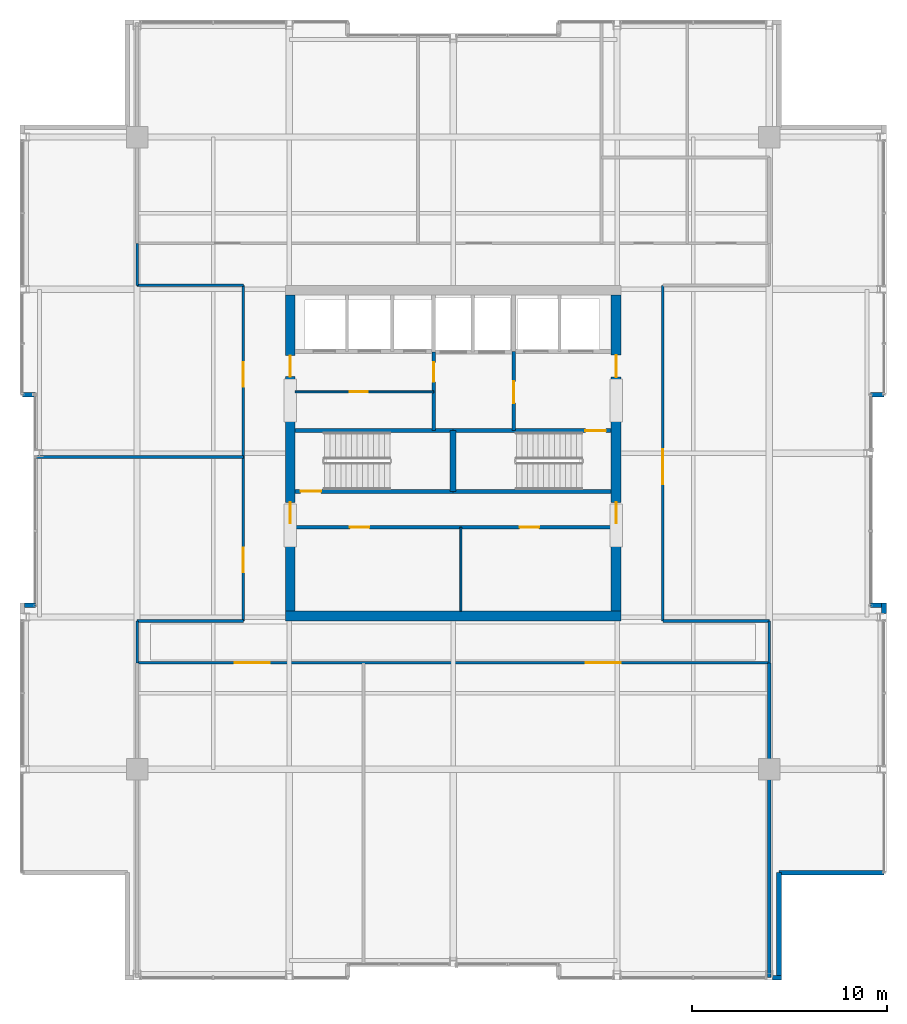
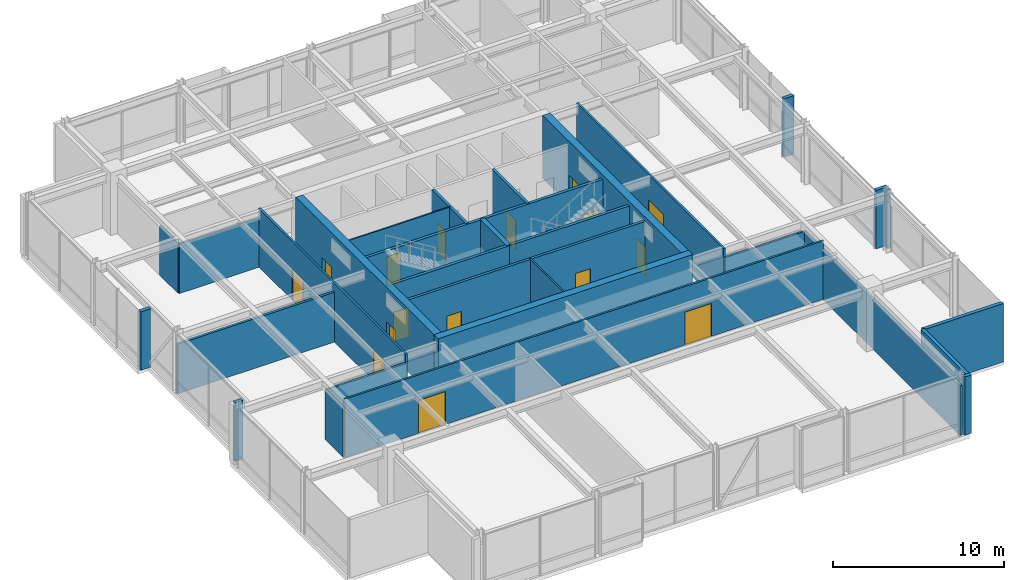
# One storey, part 27 of 32: 32 walls, 16 doors, 16 openings.
"""IFC4 building model written with IfcOpenShell, lengths in metres."""

from ifc_helpers import new_model, si_unit, direction, frame, frame_2d, origin, place, context, subcontext, project, spatial, rectangle, extrude, material, layer, layer_set, type_object, element, fill, save


model = new_model("IFC4")

# Units and contexts
model_context = context("Model", 3, precision=1e-05, world=origin(), true_north=direction((0.0, 1.0)))
body_context = subcontext(model_context, "Body", "Model", "MODEL_VIEW")
ifc_project = project(units=[si_unit("LENGTHUNIT", "METRE"), si_unit("AREAUNIT", "SQUARE_METRE"), si_unit("VOLUMEUNIT", "CUBIC_METRE"), si_unit("PLANEANGLEUNIT", "RADIAN"), si_unit("MASSUNIT", "GRAM", prefix="KILO")], contexts=[model_context])

# Site, building, storey
site_placement = place(None, origin())
site = spatial("IfcSite", under=ifc_project, at=site_placement, CompositionType="ELEMENT")
building_placement = place(site_placement, origin())
building = spatial("IfcBuilding", under=site, at=building_placement, Name="Drelvath Grand Hotel", CompositionType="ELEMENT")
storey_placement = place(building_placement, frame((0.0, 0.0, 255.5)))
storey = spatial("IfcBuildingStorey", under=building, at=storey_placement, Name="L67", CompositionType="ELEMENT", Elevation=255.5)

# Wall, opening, door
ifc_material_1 = material(Name="Gypsum Partition Board")
ifc_layer_1 = layer(ifc_material_1, 0.10009765625)
ifc_layer_set_1 = layer_set([ifc_layer_1], Name="Gypsum Partition Board")
wall_type_1 = type_object("IfcWallType", Name="Core Closet Partition 100", PredefinedType="PARTITIONING", material=ifc_layer_set_1)
wall_1_placement = place(storey_placement, frame((-8.10009765625, 30.139892578125, 0.0), z_axis=(0.0, 0.0, 1.0), x_axis=(1.0, 0.0, 0.0)))
wall_1 = element("IfcWall", 1, at=wall_1_placement, inside=storey, type_object=wall_type_1, Name="L67 High-Rise Lobby Closet Wall", PredefinedType="PARTITIONING", context=body_context, shape_type="SweptSolid", body=[
    extrude(rectangle(XDim=7.10009765625, YDim=0.10009765625, at=frame_2d((3.550048828125, 0.0))), origin(), (0.0, 0.0, 1.0), 4.179931640625),
])
opening_1_placement = place(wall_1_placement, frame((2.800048828125, 0.0, 0.0)))
opening_1 = element("IfcOpeningElement", 2, at=opening_1_placement, cuts=wall_1, Name="Opening D-L67-014", PredefinedType="OPENING", context=body_context, shape_type="SweptSolid", body=[
    extrude(rectangle(XDim=0.919921875, YDim=2.10009765625, at=frame_2d((0.4599609375, 1.050048828125))), frame((0.0, 0.06005859375, 0.0), z_axis=(0.0, -1.0, 0.0), x_axis=(1.0, 0.0, 0.0)), (0.0, 0.0, 1.0), 0.1201171875),
])
ifc_material_2 = material(Name="Painted Steel S275", Category="steel")
door_type_1 = type_object("IfcDoorType", Name="Staff Utility Door 920x2100", OperationType="NOTDEFINED", PredefinedType="DOOR", material=ifc_material_2)
door_1_placement = place(opening_1_placement, origin())
door_1 = element("IfcDoor", 3, at=door_1_placement, inside=storey, type_object=door_type_1, Name="L67 Core Telecom Door", OperationType="SINGLE_SWING_LEFT", OverallHeight=2.10009765625, OverallWidth=0.919921875, PredefinedType="DOOR", context=body_context, shape_type="SweptSolid", body=[
    extrude(rectangle(XDim=0.919921875, YDim=2.10009765625, at=frame_2d((0.4599609375, 1.050048828125))), frame((0.0, 0.02490234375, 0.0), z_axis=(0.0, -1.0, 0.0), x_axis=(1.0, 0.0, 0.0)), (0.0, 0.0, 1.0), 0.050048828125),
])
fill(opening_1, door_1)

# Wall
wall_2_placement = place(storey_placement, frame((0.39990234375, 18.89990234375, 0.0), z_axis=(0.0, 0.0, 1.0), x_axis=(0.0, 1.0, 0.0)))
element("IfcWall", 4, at=wall_2_placement, inside=storey, type_object=wall_type_1, Name="L67 Upper Core Split 0", PredefinedType="PARTITIONING", context=body_context, shape_type="SweptSolid", body=[
    extrude(rectangle(XDim=4.300048828125, YDim=0.10009765625, at=frame_2d((2.14990234375, 0.0))), origin(), (0.0, 0.0, 1.0), 4.179931640625),
])

# Wall, opening, door
ifc_material_3 = material(Name="Concrete C40/50", Category="concrete")
ifc_layer_2 = layer(ifc_material_3, 0.199951171875)
ifc_layer_set_2 = layer_set([ifc_layer_2], Name="Concrete C40/50")
wall_type_2 = type_object("IfcWallType", Name="Core Shaft Fire Wall 200", PredefinedType="SOLIDWALL", material=ifc_layer_set_2)
wall_3_placement = place(storey_placement, frame((-8.10009765625, 25.0400390625, 0.0), z_axis=(0.0, 0.0, 1.0), x_axis=(1.0, 0.0, 0.0)))
wall_3 = element("IfcWall", 5, at=wall_3_placement, inside=storey, type_object=wall_type_2, Name="L67 Stair ST-1 South Wall", PredefinedType="SOLIDWALL", context=body_context, shape_type="SweptSolid", body=[
    extrude(rectangle(XDim=8.10009765625, YDim=0.199951171875, at=frame_2d((4.050048828125, 0.0))), origin(), (0.0, 0.0, 1.0), 4.179931640625),
])
opening_2_placement = place(wall_3_placement, frame((0.280029296875, 0.0, 0.0)))
opening_2 = element("IfcOpeningElement", 6, at=opening_2_placement, cuts=wall_3, Name="Opening D-L67-001", PredefinedType="OPENING", context=body_context, shape_type="SweptSolid", body=[
    extrude(rectangle(XDim=1.050048828125, YDim=2.10009765625, at=frame_2d((0.52490234375, 1.050048828125))), frame((0.0, 0.10986328125, 0.0), z_axis=(0.0, -1.0, 0.0), x_axis=(1.0, 0.0, 0.0)), (0.0, 0.0, 1.0), 0.219970703125),
])
door_type_2 = type_object("IfcDoorType", Name="Tower Stairwell Fire Door 1050x2100", OperationType="NOTDEFINED", PredefinedType="DOOR", material=ifc_material_2)
door_2_placement = place(opening_2_placement, origin())
door_2 = element("IfcDoor", 7, at=door_2_placement, inside=storey, type_object=door_type_2, Name="L67 Exit Stair ST-1 Door", OperationType="SINGLE_SWING_LEFT", OverallHeight=2.10009765625, OverallWidth=1.050048828125, PredefinedType="DOOR", context=body_context, shape_type="SweptSolid", body=[
    extrude(rectangle(XDim=1.050048828125, YDim=2.10009765625, at=frame_2d((0.52490234375, 1.050048828125))), frame((0.0, 0.02490234375, 0.0), z_axis=(0.0, -1.0, 0.0), x_axis=(1.0, 0.0, 0.0)), (0.0, 0.0, 1.0), 0.050048828125),
])
fill(opening_2, door_2)

# Walls
for number, where, z_axis, x_axis, name in (
    (8, (-8.10009765625, 28.159912109375, 0.0), (0.0, 0.0, 1.0), (1.0, 0.0, 0.0), "L67 Stair ST-1 North Wall"),
    (9, (0.0, 25.0400390625, 0.0), (0.0, 0.0, 1.0), (1.0, 0.0, 0.0), "L67 Stair ST-2 South Wall"),
):
    element("IfcWall", number, at=place(storey_placement, frame(where, z_axis=z_axis, x_axis=x_axis)), inside=storey, type_object=wall_type_2, Name=name, PredefinedType="SOLIDWALL", context=body_context, shape_type="SweptSolid", body=[
        extrude(rectangle(XDim=8.10009765625, YDim=0.199951171875, at=frame_2d((4.050048828125, 0.0))), origin(), (0.0, 0.0, 1.0), 4.179931640625),
    ])

# Wall, opening, door
wall_4_placement = place(storey_placement, frame((8.10009765625, 28.159912109375, 0.0), z_axis=(0.0, 0.0, 1.0), x_axis=(-1.0, 0.0, 0.0)))
wall_4 = element("IfcWall", 10, at=wall_4_placement, inside=storey, type_object=wall_type_2, Name="L67 Stair ST-2 North Wall", PredefinedType="SOLIDWALL", context=body_context, shape_type="SweptSolid", body=[
    extrude(rectangle(XDim=8.10009765625, YDim=0.199951171875, at=frame_2d((4.050048828125, 0.0))), origin(), (0.0, 0.0, 1.0), 4.179931640625),
])
opening_3_placement = place(wall_4_placement, frame((0.280029296875, 0.0, 0.0)))
opening_3 = element("IfcOpeningElement", 11, at=opening_3_placement, cuts=wall_4, Name="Opening D-L67-002", PredefinedType="OPENING", context=body_context, shape_type="SweptSolid", body=[
    extrude(rectangle(XDim=1.050048828125, YDim=2.10009765625, at=frame_2d((0.52490234375, 1.050048828125))), frame((0.0, 0.10986328125, 0.0), z_axis=(0.0, -1.0, 0.0), x_axis=(1.0, 0.0, 0.0)), (0.0, 0.0, 1.0), 0.219970703125),
])
door_3_placement = place(opening_3_placement, origin())
door_3 = element("IfcDoor", 12, at=door_3_placement, inside=storey, type_object=door_type_2, Name="L67 Exit Stair ST-2 Door", OperationType="SINGLE_SWING_LEFT", OverallHeight=2.10009765625, OverallWidth=1.050048828125, PredefinedType="DOOR", context=body_context, shape_type="SweptSolid", body=[
    extrude(rectangle(XDim=1.050048828125, YDim=2.10009765625, at=frame_2d((0.52490234375, 1.050048828125))), frame((0.0, 0.02490234375, 0.0), z_axis=(0.0, -1.0, 0.0), x_axis=(1.0, 0.0, 0.0)), (0.0, 0.0, 1.0), 0.050048828125),
])
fill(opening_3, door_3)

# Wall
ifc_layer_3 = layer(ifc_material_3, 0.300048828125)
ifc_layer_set_3 = layer_set([ifc_layer_3], Name="Concrete C40/50")
wall_type_3 = type_object("IfcWallType", Name="Core Shaft Fire Wall 300", PredefinedType="SOLIDWALL", material=ifc_layer_set_3)
wall_5_placement = place(storey_placement, frame((0.0, 25.0400390625, 0.0), z_axis=(0.0, 0.0, 1.0), x_axis=(0.0, 1.0, 0.0)))
element("IfcWall", 13, at=wall_5_placement, inside=storey, type_object=wall_type_3, Name="L67 Core Stair Divider Wall", PredefinedType="SOLIDWALL", context=body_context, shape_type="SweptSolid", body=[
    extrude(rectangle(XDim=3.119873046875, YDim=0.300048828125, at=frame_2d((1.56005859375, 0.0))), origin(), (0.0, 0.0, 1.0), 4.179931640625),
])

# Wall, openings, doors
ifc_material_4 = material(Name="Gypsum Fireboard Partition")
ifc_layer_4 = layer(ifc_material_4, 0.135009765625)
ifc_layer_set_4 = layer_set([ifc_layer_4], Name="Gypsum Fireboard Partition")
wall_type_4 = type_object("IfcWallType", Name="Corridor Fire Barrier Wall 135", PredefinedType="PARTITIONING", material=ifc_layer_set_4)
wall_6_placement = place(storey_placement, frame((-16.199951171875, 16.25, 0.0), z_axis=(0.0, 0.0, 1.0), x_axis=(1.0, 0.0, 0.0)))
wall_6 = element("IfcWall", 14, at=wall_6_placement, inside=storey, type_object=wall_type_4, Name="L67 Sky South Foyer Wall", PredefinedType="PARTITIONING", context=body_context, shape_type="SweptSolid", body=[
    extrude(rectangle(XDim=32.39990234375, YDim=0.135009765625, at=frame_2d((16.199951171875, 0.0))), origin(), (0.0, 0.0, 1.0), 4.179931640625),
])
opening_4_placement = place(wall_6_placement, frame((5.0, 0.0, 0.0)))
opening_4 = element("IfcOpeningElement", 15, at=opening_4_placement, cuts=wall_6, Name="Opening D-L67-019", PredefinedType="OPENING", context=body_context, shape_type="SweptSolid", body=[
    extrude(rectangle(XDim=1.800048828125, YDim=2.35009765625, at=frame_2d((0.89990234375, 1.175048828125))), frame((0.0, 0.077392578125, 0.0), z_axis=(0.0, -1.0, 0.0), x_axis=(1.0, 0.0, 0.0)), (0.0, 0.0, 1.0), 0.155029296875),
])
opening_5_placement = place(wall_6_placement, frame((23.0, 0.0, 0.0)))
opening_5 = element("IfcOpeningElement", 16, at=opening_5_placement, cuts=wall_6, Name="Opening D-L67-020", PredefinedType="OPENING", context=body_context, shape_type="SweptSolid", body=[
    extrude(rectangle(XDim=1.800048828125, YDim=2.35009765625, at=frame_2d((0.89990234375, 1.175048828125))), frame((0.0, 0.077392578125, 0.0), z_axis=(0.0, -1.0, 0.0), x_axis=(1.0, 0.0, 0.0)), (0.0, 0.0, 1.0), 0.155029296875),
])
ifc_material_5 = material(Name="Hardwood Bronze-Clad Timber", Category="wood")
door_type_3 = type_object("IfcDoorType", Name="Assembly Double Fire Door 1800x2350", OperationType="NOTDEFINED", PredefinedType="DOOR", material=ifc_material_5)
door_4_placement = place(opening_4_placement, origin())
door_4 = element("IfcDoor", 17, at=door_4_placement, inside=storey, type_object=door_type_3, Name="L67 Signature Sky Restaurant Door", OperationType="DOUBLE_DOOR_SINGLE_SWING", OverallHeight=2.35009765625, OverallWidth=1.800048828125, PredefinedType="DOOR", context=body_context, shape_type="SweptSolid", body=[
    extrude(rectangle(XDim=1.800048828125, YDim=2.35009765625, at=frame_2d((0.89990234375, 1.175048828125))), frame((0.0, 0.02490234375, 0.0), z_axis=(0.0, -1.0, 0.0), x_axis=(1.0, 0.0, 0.0)), (0.0, 0.0, 1.0), 0.050048828125),
])
fill(opening_4, door_4)
door_5_placement = place(opening_5_placement, origin())
door_5 = element("IfcDoor", 18, at=door_5_placement, inside=storey, type_object=door_type_3, Name="L67 Chef Tasting Dining Room Door", OperationType="DOUBLE_DOOR_SINGLE_SWING", OverallHeight=2.35009765625, OverallWidth=1.800048828125, PredefinedType="DOOR", context=body_context, shape_type="SweptSolid", body=[
    extrude(rectangle(XDim=1.800048828125, YDim=2.35009765625, at=frame_2d((0.89990234375, 1.175048828125))), frame((0.0, 0.02490234375, 0.0), z_axis=(0.0, -1.0, 0.0), x_axis=(1.0, 0.0, 0.0)), (0.0, 0.0, 1.0), 0.050048828125),
])
fill(opening_5, door_5)

# Walls
for number, where, z_axis, x_axis, name in (
    (19, (-16.199951171875, 18.39990234375, 0.0), (0.0, 0.0, 1.0), (1.0, 0.0, 0.0), "L67 Sky SW Spur Inner Wall"),
    (20, (10.75, 18.39990234375, 0.0), (0.0, 0.0, 1.0), (1.0, 0.0, 0.0), "L67 Sky SE Spur Inner Wall"),
    (21, (-16.199951171875, 35.60009765625, 0.0), (0.0, 0.0, 1.0), (1.0, 0.0, 0.0), "L67 Sky NW Spur Inner Wall"),
):
    element("IfcWall", number, at=place(storey_placement, frame(where, z_axis=z_axis, x_axis=x_axis)), inside=storey, type_object=wall_type_4, Name=name, PredefinedType="PARTITIONING", context=body_context, shape_type="SweptSolid", body=[
        extrude(rectangle(XDim=5.449951171875, YDim=0.135009765625, at=frame_2d((2.72509765625, 0.0))), origin(), (0.0, 0.0, 1.0), 3.557373046875),
    ])

# Wall, openings, doors
wall_7_placement = place(storey_placement, frame((-10.75, 18.39990234375, 0.0), z_axis=(0.0, 0.0, 1.0), x_axis=(0.0, 1.0, 0.0)))
wall_7 = element("IfcWall", 22, at=wall_7_placement, inside=storey, type_object=wall_type_4, Name="L67 Sky West Foyer Wall", PredefinedType="PARTITIONING", context=body_context, shape_type="SweptSolid", body=[
    extrude(rectangle(XDim=17.2001953125, YDim=0.135009765625, at=frame_2d((8.60009765625, 0.0))), origin(), (0.0, 0.0, 1.0), 4.179931640625),
])
opening_6_placement = place(wall_7_placement, frame((2.5, 0.0, 0.0)))
opening_6 = element("IfcOpeningElement", 23, at=opening_6_placement, cuts=wall_7, Name="Opening D-L67-025", PredefinedType="OPENING", context=body_context, shape_type="SweptSolid", body=[
    extrude(rectangle(XDim=1.260009765625, YDim=2.199951171875, at=frame_2d((0.6298828125, 1.10009765625))), frame((0.0, 0.077392578125, 0.0), z_axis=(0.0, -1.0, 0.0), x_axis=(1.0, 0.0, 0.0)), (0.0, 0.0, 1.0), 0.155029296875),
])
opening_7_placement = place(wall_7_placement, frame((12.0, 0.0, 0.0)))
opening_7 = element("IfcOpeningElement", 24, at=opening_7_placement, cuts=wall_7, Name="Opening D-L67-026", PredefinedType="OPENING", context=body_context, shape_type="SweptSolid", body=[
    extrude(rectangle(XDim=1.260009765625, YDim=2.199951171875, at=frame_2d((0.6298828125, 1.10009765625))), frame((0.0, 0.077392578125, 0.0), z_axis=(0.0, -1.0, 0.0), x_axis=(1.0, 0.0, 0.0)), (0.0, 0.0, 1.0), 0.155029296875),
])
ifc_material_6 = material(Name="Hardwood Walnut Timber", Category="wood")
door_type_4 = type_object("IfcDoorType", Name="Suite Entrance Fire Door 1260x2200", OperationType="NOTDEFINED", PredefinedType="DOOR", material=ifc_material_6)
door_6_placement = place(opening_6_placement, origin())
door_6 = element("IfcDoor", 25, at=door_6_placement, inside=storey, type_object=door_type_4, Name="L67 Private Banquet Salon Door", OperationType="SINGLE_SWING_RIGHT", OverallHeight=2.199951171875, OverallWidth=1.260009765625, PredefinedType="DOOR", context=body_context, shape_type="SweptSolid", body=[
    extrude(rectangle(XDim=1.260009765625, YDim=2.199951171875, at=frame_2d((0.6298828125, 1.10009765625))), frame((0.0, 0.02490234375, 0.0), z_axis=(0.0, -1.0, 0.0), x_axis=(1.0, 0.0, 0.0)), (0.0, 0.0, 1.0), 0.050048828125),
])
fill(opening_6, door_6)
door_7_placement = place(opening_7_placement, origin())
door_7 = element("IfcDoor", 26, at=door_7_placement, inside=storey, type_object=door_type_4, Name="L67 Horizon Aperitif Lounge Door", OperationType="SINGLE_SWING_LEFT", OverallHeight=2.199951171875, OverallWidth=1.260009765625, PredefinedType="DOOR", context=body_context, shape_type="SweptSolid", body=[
    extrude(rectangle(XDim=1.260009765625, YDim=2.199951171875, at=frame_2d((0.6298828125, 1.10009765625))), frame((0.0, 0.02490234375, 0.0), z_axis=(0.0, -1.0, 0.0), x_axis=(1.0, 0.0, 0.0)), (0.0, 0.0, 1.0), 0.050048828125),
])
fill(opening_7, door_7)

# Wall, opening, door
wall_8_placement = place(storey_placement, frame((10.75, 18.39990234375, 0.0), z_axis=(0.0, 0.0, 1.0), x_axis=(0.0, 1.0, 0.0)))
wall_8 = element("IfcWall", 27, at=wall_8_placement, inside=storey, type_object=wall_type_4, Name="L67 Sky East Foyer Wall", PredefinedType="PARTITIONING", context=body_context, shape_type="SweptSolid", body=[
    extrude(rectangle(XDim=17.2001953125, YDim=0.135009765625, at=frame_2d((8.60009765625, 0.0))), origin(), (0.0, 0.0, 1.0), 4.179931640625),
])
opening_8_placement = place(wall_8_placement, frame((7.0, 0.0, 0.0)))
opening_8 = element("IfcOpeningElement", 28, at=opening_8_placement, cuts=wall_8, Name="Opening D-L67-027", PredefinedType="OPENING", context=body_context, shape_type="SweptSolid", body=[
    extrude(rectangle(XDim=1.800048828125, YDim=2.35009765625, at=frame_2d((0.89990234375, 1.175048828125))), frame((0.0, 0.077392578125, 0.0), z_axis=(0.0, -1.0, 0.0), x_axis=(1.0, 0.0, 0.0)), (0.0, 0.0, 1.0), 0.155029296875),
])
door_8_placement = place(opening_8_placement, origin())
door_8 = element("IfcDoor", 29, at=door_8_placement, inside=storey, type_object=door_type_3, Name="L67 East Panorama Lounge Door", OperationType="DOUBLE_DOOR_SINGLE_SWING", OverallHeight=2.35009765625, OverallWidth=1.800048828125, PredefinedType="DOOR", context=body_context, shape_type="SweptSolid", body=[
    extrude(rectangle(XDim=1.800048828125, YDim=2.35009765625, at=frame_2d((0.89990234375, 1.175048828125))), frame((0.0, 0.02490234375, 0.0), z_axis=(0.0, -1.0, 0.0), x_axis=(1.0, 0.0, 0.0)), (0.0, 0.0, 1.0), 0.050048828125),
])
fill(opening_8, door_8)

# Walls
for number, where, z_axis, x_axis, name in (
    (30, (-16.199951171875, 16.25, 0.0), (0.0, 0.0, 1.0), (0.0, 1.0, 0.0), "L67 Sky South Foyer West End"),
    (31, (16.199951171875, 16.25, 0.0), (0.0, 0.0, 1.0), (0.0, 1.0, 0.0), "L67 Sky South Foyer East End"),
    (32, (-16.199951171875, 35.60009765625, 0.0), (0.0, 0.0, 1.0), (0.0, 1.0, 0.0), "L67 Sky North Foyer West End"),
):
    element("IfcWall", number, at=place(storey_placement, frame(where, z_axis=z_axis, x_axis=x_axis)), inside=storey, type_object=wall_type_4, Name=name, PredefinedType="PARTITIONING", context=body_context, shape_type="SweptSolid", body=[
        extrude(rectangle(XDim=2.14990234375, YDim=0.135009765625, at=frame_2d((1.074951171875, 0.0))), origin(), (0.0, 0.0, 1.0), 3.553955078125),
    ])

# Wall, opening, door
ifc_layer_5 = layer(ifc_material_4, 0.179931640625)
ifc_layer_set_5 = layer_set([ifc_layer_5], Name="Gypsum Fireboard Partition")
wall_type_5 = type_object("IfcWallType", Name="FSAE Smoke Lobby Fire Wall 180", PredefinedType="SOLIDWALL", material=ifc_layer_set_5)
wall_9_placement = place(storey_placement, frame((3.10009765625, 28.159912109375, 0.0), z_axis=(0.0, 0.0, 1.0), x_axis=(0.0, 1.0, 0.0)))
wall_9 = element("IfcWall", 33, at=wall_9_placement, inside=storey, type_object=wall_type_5, Name="L67 FSAE Smoke Lobby West Wall", PredefinedType="SOLIDWALL", context=body_context, shape_type="SweptSolid", body=[
    extrude(rectangle(XDim=4.06005859375, YDim=0.179931640625, at=frame_2d((2.030029296875, 0.0))), origin(), (0.0, 0.0, 1.0), 4.179931640625),
])
opening_9_placement = place(wall_9_placement, frame((1.39990234375, 0.0, 0.0)))
opening_9 = element("IfcOpeningElement", 34, at=opening_9_placement, cuts=wall_9, Name="Opening D-L67-005", PredefinedType="OPENING", context=body_context, shape_type="SweptSolid", body=[
    extrude(rectangle(XDim=1.1201171875, YDim=2.10009765625, at=frame_2d((0.56005859375, 1.050048828125))), frame((0.0, 0.099853515625, 0.0), z_axis=(0.0, -1.0, 0.0), x_axis=(1.0, 0.0, 0.0)), (0.0, 0.0, 1.0), 0.199951171875),
])
door_type_5 = type_object("IfcDoorType", Name="FSAE Smoke Lobby Fire Door 1120x2100", OperationType="NOTDEFINED", PredefinedType="DOOR", material=ifc_material_2)
door_9_placement = place(opening_9_placement, origin())
door_9 = element("IfcDoor", 35, at=door_9_placement, inside=storey, type_object=door_type_5, Name="L67 FSAE Lobby Service Vestibule Door", OperationType="SINGLE_SWING_RIGHT", OverallHeight=2.10009765625, OverallWidth=1.1201171875, PredefinedType="DOOR", context=body_context, shape_type="SweptSolid", body=[
    extrude(rectangle(XDim=1.1201171875, YDim=2.10009765625, at=frame_2d((0.56005859375, 1.050048828125))), frame((0.0, 0.02490234375, 0.0), z_axis=(0.0, -1.0, 0.0), x_axis=(1.0, 0.0, 0.0)), (0.0, 0.0, 1.0), 0.050048828125),
])
fill(opening_9, door_9)

wall_10_placement = place(storey_placement, frame((-1.0, 28.159912109375, 0.0), z_axis=(0.0, 0.0, 1.0), x_axis=(0.0, 1.0, 0.0)))
wall_10 = element("IfcWall", 36, at=wall_10_placement, inside=storey, type_object=wall_type_5, Name="L67 Service Vestibule West Wall", PredefinedType="SOLIDWALL", context=body_context, shape_type="SweptSolid", body=[
    extrude(rectangle(XDim=4.02001953125, YDim=0.179931640625, at=frame_2d((2.010009765625, 0.0))), origin(), (0.0, 0.0, 1.0), 4.179931640625),
])
opening_10_placement = place(wall_10_placement, frame((2.489990234375, 0.0, 0.0)))
opening_10 = element("IfcOpeningElement", 37, at=opening_10_placement, cuts=wall_10, Name="Opening D-L67-009", PredefinedType="OPENING", context=body_context, shape_type="SweptSolid", body=[
    extrude(rectangle(XDim=1.0, YDim=2.10009765625, at=frame_2d((0.5, 1.050048828125))), frame((0.0, 0.099853515625, 0.0), z_axis=(0.0, -1.0, 0.0), x_axis=(1.0, 0.0, 0.0)), (0.0, 0.0, 1.0), 0.199951171875),
])
door_type_6 = type_object("IfcDoorType", Name="Core Service Fire Door 1000x2100", OperationType="NOTDEFINED", PredefinedType="DOOR", material=ifc_material_2)
door_10_placement = place(opening_10_placement, origin())
door_10 = element("IfcDoor", 38, at=door_10_placement, inside=storey, type_object=door_type_6, Name="L67 Service Vestibule West Door", OperationType="SINGLE_SWING_LEFT", OverallHeight=2.10009765625, OverallWidth=1.0, PredefinedType="DOOR", context=body_context, shape_type="SweptSolid", body=[
    extrude(rectangle(XDim=1.0, YDim=2.10009765625, at=frame_2d((0.5, 1.050048828125))), frame((0.0, 0.02490234375, 0.0), z_axis=(0.0, -1.0, 0.0), x_axis=(1.0, 0.0, 0.0)), (0.0, 0.0, 1.0), 0.050048828125),
])
fill(opening_10, door_10)

# Wall, openings, doors
wall_11_placement = place(storey_placement, frame((-8.10009765625, 23.199951171875, 0.0), z_axis=(0.0, 0.0, 1.0), x_axis=(1.0, 0.0, 0.0)))
wall_11 = element("IfcWall", 39, at=wall_11_placement, inside=storey, type_object=wall_type_5, Name="L67 Upper Reclaimed Core Wall", PredefinedType="SOLIDWALL", context=body_context, shape_type="SweptSolid", body=[
    extrude(rectangle(XDim=16.2001953125, YDim=0.179931640625, at=frame_2d((8.10009765625, 0.0))), origin(), (0.0, 0.0, 1.0), 4.179931640625),
])
opening_11_placement = place(wall_11_placement, frame((2.800048828125, 0.0, 0.0)))
opening_11 = element("IfcOpeningElement", 40, at=opening_11_placement, cuts=wall_11, Name="Opening D-L67-017", PredefinedType="OPENING", context=body_context, shape_type="SweptSolid", body=[
    extrude(rectangle(XDim=1.0, YDim=2.10009765625, at=frame_2d((0.5, 1.050048828125))), frame((0.0, 0.099853515625, 0.0), z_axis=(0.0, -1.0, 0.0), x_axis=(1.0, 0.0, 0.0)), (0.0, 0.0, 1.0), 0.199951171875),
])
opening_12_placement = place(wall_11_placement, frame((11.5, 0.0, 0.0)))
opening_12 = element("IfcOpeningElement", 41, at=opening_12_placement, cuts=wall_11, Name="Opening D-L67-018", PredefinedType="OPENING", context=body_context, shape_type="SweptSolid", body=[
    extrude(rectangle(XDim=1.0, YDim=2.10009765625, at=frame_2d((0.5, 1.050048828125))), frame((0.0, 0.099853515625, 0.0), z_axis=(0.0, -1.0, 0.0), x_axis=(1.0, 0.0, 0.0)), (0.0, 0.0, 1.0), 0.199951171875),
])
door_11_placement = place(opening_11_placement, origin())
door_11 = element("IfcDoor", 42, at=door_11_placement, inside=storey, type_object=door_type_6, Name="L67 Housekeeping Door", OperationType="SINGLE_SWING_RIGHT", OverallHeight=2.10009765625, OverallWidth=1.0, PredefinedType="DOOR", context=body_context, shape_type="SweptSolid", body=[
    extrude(rectangle(XDim=1.0, YDim=2.10009765625, at=frame_2d((0.5, 1.050048828125))), frame((0.0, 0.02490234375, 0.0), z_axis=(0.0, -1.0, 0.0), x_axis=(1.0, 0.0, 0.0)), (0.0, 0.0, 1.0), 0.050048828125),
])
fill(opening_11, door_11)
door_12_placement = place(opening_12_placement, origin())
door_12 = element("IfcDoor", 43, at=door_12_placement, inside=storey, type_object=door_type_6, Name="L67 Butler Pantry Door", OperationType="SINGLE_SWING_LEFT", OverallHeight=2.10009765625, OverallWidth=1.0, PredefinedType="DOOR", context=body_context, shape_type="SweptSolid", body=[
    extrude(rectangle(XDim=1.0, YDim=2.10009765625, at=frame_2d((0.5, 1.050048828125))), frame((0.0, 0.02490234375, 0.0), z_axis=(0.0, -1.0, 0.0), x_axis=(1.0, 0.0, 0.0)), (0.0, 0.0, 1.0), 0.050048828125),
])
fill(opening_12, door_12)

# Walls
ifc_material_7 = material(Name="Gypsum Acoustic Partition")
ifc_layer_6 = layer(ifc_material_7, 0.1650390625)
ifc_layer_set_6 = layer_set([ifc_layer_6], Name="Gypsum Acoustic Partition")
wall_type_6 = type_object("IfcWallType", Name="Suite Demising Wall 165", PredefinedType="PARTITIONING", material=ifc_layer_set_6)
wall_12_placement = place(storey_placement, frame((16.199951171875, 0.1201171875, 0.0), z_axis=(0.0, 0.0, 1.0), x_axis=(0.0, 1.0, 0.0)))
element("IfcWall", 44, at=wall_12_placement, inside=storey, type_object=wall_type_6, Name="L67 Sky SE Wall", PredefinedType="PARTITIONING", context=body_context, shape_type="SweptSolid", body=[
    extrude(rectangle(XDim=16.1298828125, YDim=0.1650390625, at=frame_2d((8.06494140625, 0.0))), origin(), (0.0, 0.0, 1.0), 3.553955078125),
])
wall_13_placement = place(storey_placement, frame((-21.39990234375, 26.800048828125, 0.0), z_axis=(0.0, 0.0, 1.0), x_axis=(1.0, 0.0, 0.0)))
element("IfcWall", 45, at=wall_13_placement, inside=storey, type_object=wall_type_6, Name="L67 Sky West Split", PredefinedType="PARTITIONING", context=body_context, shape_type="SweptSolid", body=[
    extrude(rectangle(XDim=10.64990234375, YDim=0.1650390625, at=frame_2d((5.324951171875, 0.0))), origin(), (0.0, 0.0, 1.0), 3.553955078125),
])
ifc_material_8 = material(Name="Pale-Metal Insulated Aluminium Spandrel Assembly", Category="aluminium")
ifc_layer_7 = layer(ifc_material_8, 0.239990234375)
ifc_layer_set_7 = layer_set([ifc_layer_7], Name="Pale-Metal Insulated Aluminium Spandrel Assembly")
wall_type_7 = type_object("IfcWallType", Name="Tower Insulated Metal Spandrel Closure Wall 240", PredefinedType="STANDARD", material=ifc_layer_set_7)
wall_14_placement = place(storey_placement, frame((22.080078125, 19.320068359375, 0.0), z_axis=(0.0, 0.0, 1.0), x_axis=(0.0, -1.0, 0.0)))
element("IfcWall", 46, at=wall_14_placement, inside=storey, type_object=wall_type_7, Name="L67 Corner Pier Spandrel Wall ES3", PredefinedType="STANDARD", context=body_context, shape_type="SweptSolid", body=[
    extrude(rectangle(XDim=0.541748046875, YDim=0.239990234375, at=frame_2d((0.27099609375, 0.0))), origin(), (0.0, 0.0, 1.0), 4.179931640625),
])
wall_15_placement = place(storey_placement, frame((16.820068359375, 0.1201171875, 0.0), z_axis=(0.0, 0.0, 1.0), x_axis=(-1.0, 0.0, 0.0)))
element("IfcWall", 47, at=wall_15_placement, inside=storey, type_object=wall_type_7, Name="L67 Corner Pier Spandrel Wall SE3", PredefinedType="STANDARD", context=body_context, shape_type="SweptSolid", body=[
    extrude(rectangle(XDim=0.44189453125, YDim=0.239990234375, at=frame_2d((0.220947265625, 0.0))), origin(), (0.0, 0.0, 1.0), 4.179931640625),
])
wall_16_placement = place(storey_placement, frame((22.080078125, 5.5, 0.0), z_axis=(0.0, 0.0, 1.0), x_axis=(-1.0, 0.0, 0.0)))
element("IfcWall", 48, at=wall_16_placement, inside=storey, type_object=wall_type_7, Name="L67 Notched Corner Return Spandrel Wall CSE1", PredefinedType="STANDARD", context=body_context, shape_type="SweptSolid", body=[
    extrude(rectangle(XDim=5.380126953125, YDim=0.239990234375, at=frame_2d((2.68994140625, 0.0))), origin(), (0.0, 0.0, 1.0), 4.179931640625),
])
wall_17_placement = place(storey_placement, frame((16.699951171875, 5.5, 0.0), z_axis=(0.0, 0.0, 1.0), x_axis=(0.0, -1.0, 0.0)))
element("IfcWall", 49, at=wall_17_placement, inside=storey, type_object=wall_type_7, Name="L67 Notched Corner Return Spandrel Wall CSE2", PredefinedType="STANDARD", context=body_context, shape_type="SweptSolid", body=[
    extrude(rectangle(XDim=5.260009765625, YDim=0.239990234375, at=frame_2d((2.6298828125, 0.0))), origin(), (0.0, 0.0, 1.0), 4.179931640625),
])
wall_18_placement = place(storey_placement, frame((-21.9599609375, 19.199951171875, 0.0), z_axis=(0.0, 0.0, 1.0), x_axis=(1.0, 0.0, 0.0)))
element("IfcWall", 50, at=wall_18_placement, inside=storey, type_object=wall_type_7, Name="L67 Notched Corner Return Spandrel Wall RW1", PredefinedType="STANDARD", context=body_context, shape_type="SweptSolid", body=[
    extrude(rectangle(XDim=0.56005859375, YDim=0.239990234375, at=frame_2d((0.280029296875, 0.0))), origin(), (0.0, 0.0, 1.0), 4.179931640625),
])
for number, where, z_axis, x_axis, name in (
    (51, (-21.39990234375, 30.0, 0.0), (0.0, 0.0, 1.0), (-1.0, 0.0, 0.0), "L67 Notched Corner Return Spandrel Wall RW2"),
    (52, (22.080078125, 30.0, 0.0), (0.0, 0.0, 1.0), (-1.0, 0.0, 0.0), "L67 Notched Corner Return Spandrel Wall RE1"),
):
    element("IfcWall", number, at=place(storey_placement, frame(where, z_axis=z_axis, x_axis=x_axis)), inside=storey, type_object=wall_type_7, Name=name, PredefinedType="STANDARD", context=body_context, shape_type="SweptSolid", body=[
        extrude(rectangle(XDim=0.68017578125, YDim=0.239990234375, at=frame_2d((0.340087890625, 0.0))), origin(), (0.0, 0.0, 1.0), 4.179931640625),
    ])
wall_19_placement = place(storey_placement, frame((21.39990234375, 19.199951171875, 0.0), z_axis=(0.0, 0.0, 1.0), x_axis=(1.0, 0.0, 0.0)))
element("IfcWall", 53, at=wall_19_placement, inside=storey, type_object=wall_type_7, Name="L67 Notched Corner Return Spandrel Wall RE2", PredefinedType="STANDARD", context=body_context, shape_type="SweptSolid", body=[
    extrude(rectangle(XDim=0.56005859375, YDim=0.239990234375, at=frame_2d((0.280029296875, 0.0))), origin(), (0.0, 0.0, 1.0), 4.179931640625),
])

# Wall, openings, doors
ifc_material_9 = material(Name="Concrete f'c 55 MPa", Category="concrete")
ifc_layer_8 = layer(ifc_material_9, 0.5)
ifc_layer_set_8 = layer_set([ifc_layer_8], Name="Concrete f'c 55 MPa")
wall_type_8 = type_object("IfcWallType", Name="Upper Core RC Shear Wall 500", PredefinedType="SHEAR", material=ifc_layer_set_8)
wall_20_placement = place(storey_placement, frame((8.35009765625, 35.10009765625, 0.0), z_axis=(0.0, 0.0, 1.0), x_axis=(0.0, -1.0, 0.0)))
wall_20 = element("IfcWall", 54, at=wall_20_placement, inside=storey, type_object=wall_type_8, Name="L67 Central Core Shear Wall E", PredefinedType="SHEAR", context=body_context, shape_type="SweptSolid", body=[
    extrude(rectangle(XDim=16.2001953125, YDim=0.5, at=frame_2d((8.10009765625, 0.0))), origin(), (0.0, 0.0, 1.0), 4.5),
])
opening_13_placement = place(wall_20_placement, frame((3.080078125, 0.0, 0.0)))
opening_13 = element("IfcOpeningElement", 55, at=opening_13_placement, cuts=wall_20, Name="Opening D-L67-006", PredefinedType="OPENING", context=body_context, shape_type="SweptSolid", body=[
    extrude(rectangle(XDim=1.1201171875, YDim=2.10009765625, at=frame_2d((0.56005859375, 1.050048828125))), frame((0.0, 0.260009765625, 0.0), z_axis=(0.0, -1.0, 0.0), x_axis=(1.0, 0.0, 0.0)), (0.0, 0.0, 1.0), 0.52001953125),
])
opening_14_placement = place(wall_20_placement, frame((10.6201171875, 0.0, 0.0)))
opening_14 = element("IfcOpeningElement", 56, at=opening_14_placement, cuts=wall_20, Name="Opening D-L67-016", PredefinedType="OPENING", context=body_context, shape_type="SweptSolid", body=[
    extrude(rectangle(XDim=1.080078125, YDim=2.0400390625, at=frame_2d((0.5400390625, 1.02001953125))), frame((0.0, 0.260009765625, 0.0), z_axis=(0.0, -1.0, 0.0), x_axis=(1.0, 0.0, 0.0)), (0.0, 0.0, 1.0), 0.52001953125),
])
door_type_7 = type_object("IfcDoorType", Name="Core Corridor Fire Door 1080x2100", OperationType="NOTDEFINED", PredefinedType="DOOR", material=ifc_material_2)
door_13_placement = place(opening_14_placement, origin())
door_13 = element("IfcDoor", 57, at=door_13_placement, inside=storey, type_object=door_type_7, Name="L67 Core Passage East Door", OperationType="SINGLE_SWING_LEFT", OverallHeight=2.0400390625, OverallWidth=1.080078125, PredefinedType="DOOR", context=body_context, shape_type="SweptSolid", body=[
    extrude(rectangle(XDim=1.080078125, YDim=2.0400390625, at=frame_2d((0.5400390625, 1.02001953125))), frame((0.0, 0.02490234375, 0.0), z_axis=(0.0, -1.0, 0.0), x_axis=(1.0, 0.0, 0.0)), (0.0, 0.0, 1.0), 0.050048828125),
])
fill(opening_14, door_13)
door_14_placement = place(opening_13_placement, origin())
door_14 = element("IfcDoor", 58, at=door_14_placement, inside=storey, type_object=door_type_5, Name="L67 FSAE Lobby East Corridor Door", OperationType="SINGLE_SWING_LEFT", OverallHeight=2.10009765625, OverallWidth=1.1201171875, PredefinedType="DOOR", context=body_context, shape_type="SweptSolid", body=[
    extrude(rectangle(XDim=1.1201171875, YDim=2.10009765625, at=frame_2d((0.56005859375, 1.050048828125))), frame((0.0, 0.02490234375, 0.0), z_axis=(0.0, -1.0, 0.0), x_axis=(1.0, 0.0, 0.0)), (0.0, 0.0, 1.0), 0.050048828125),
])
fill(opening_13, door_14)

# Wall
wall_21_placement = place(storey_placement, frame((8.60009765625, 18.64990234375, 0.0), z_axis=(0.0, 0.0, 1.0), x_axis=(-1.0, 0.0, 0.0)))
element("IfcWall", 59, at=wall_21_placement, inside=storey, type_object=wall_type_8, Name="L67 Central Core Shear Wall S", PredefinedType="SHEAR", context=body_context, shape_type="SweptSolid", body=[
    extrude(rectangle(XDim=17.2001953125, YDim=0.5, at=frame_2d((8.60009765625, 0.0))), origin(), (0.0, 0.0, 1.0), 4.5),
])

# Wall, openings, doors
wall_22_placement = place(storey_placement, frame((-8.35009765625, 18.89990234375, 0.0), z_axis=(0.0, 0.0, 1.0), x_axis=(0.0, 1.0, 0.0)))
wall_22 = element("IfcWall", 60, at=wall_22_placement, inside=storey, type_object=wall_type_8, Name="L67 Central Core Shear Wall W", PredefinedType="SHEAR", context=body_context, shape_type="SweptSolid", body=[
    extrude(rectangle(XDim=16.2001953125, YDim=0.5, at=frame_2d((8.10009765625, 0.0))), origin(), (0.0, 0.0, 1.0), 4.5),
])
opening_15_placement = place(wall_22_placement, frame((12.02001953125, 0.0, 0.0)))
opening_15 = element("IfcOpeningElement", 61, at=opening_15_placement, cuts=wall_22, Name="Opening D-L67-013", PredefinedType="OPENING", context=body_context, shape_type="SweptSolid", body=[
    extrude(rectangle(XDim=1.080078125, YDim=2.0400390625, at=frame_2d((0.5400390625, 1.02001953125))), frame((0.0, 0.260009765625, 0.0), z_axis=(0.0, -1.0, 0.0), x_axis=(1.0, 0.0, 0.0)), (0.0, 0.0, 1.0), 0.52001953125),
])
opening_16_placement = place(wall_22_placement, frame((4.5, 0.0, 0.0)))
opening_16 = element("IfcOpeningElement", 62, at=opening_16_placement, cuts=wall_22, Name="Opening D-L67-015", PredefinedType="OPENING", context=body_context, shape_type="SweptSolid", body=[
    extrude(rectangle(XDim=1.080078125, YDim=2.0400390625, at=frame_2d((0.5400390625, 1.02001953125))), frame((0.0, 0.260009765625, 0.0), z_axis=(0.0, -1.0, 0.0), x_axis=(1.0, 0.0, 0.0)), (0.0, 0.0, 1.0), 0.52001953125),
])
door_15_placement = place(opening_15_placement, origin())
door_15 = element("IfcDoor", 63, at=door_15_placement, inside=storey, type_object=door_type_7, Name="L67 High-Rise Lift Lobby West Door", OperationType="SINGLE_SWING_RIGHT", OverallHeight=2.0400390625, OverallWidth=1.080078125, PredefinedType="DOOR", context=body_context, shape_type="SweptSolid", body=[
    extrude(rectangle(XDim=1.080078125, YDim=2.0400390625, at=frame_2d((0.5400390625, 1.02001953125))), frame((0.0, 0.02490234375, 0.0), z_axis=(0.0, -1.0, 0.0), x_axis=(1.0, 0.0, 0.0)), (0.0, 0.0, 1.0), 0.050048828125),
])
fill(opening_15, door_15)
door_16_placement = place(opening_16_placement, origin())
door_16 = element("IfcDoor", 64, at=door_16_placement, inside=storey, type_object=door_type_7, Name="L67 Core Passage West Door", OperationType="SINGLE_SWING_RIGHT", OverallHeight=2.0400390625, OverallWidth=1.080078125, PredefinedType="DOOR", context=body_context, shape_type="SweptSolid", body=[
    extrude(rectangle(XDim=1.080078125, YDim=2.0400390625, at=frame_2d((0.5400390625, 1.02001953125))), frame((0.0, 0.02490234375, 0.0), z_axis=(0.0, -1.0, 0.0), x_axis=(1.0, 0.0, 0.0)), (0.0, 0.0, 1.0), 0.050048828125),
])
fill(opening_16, door_16)

save(model, "model.ifc")
